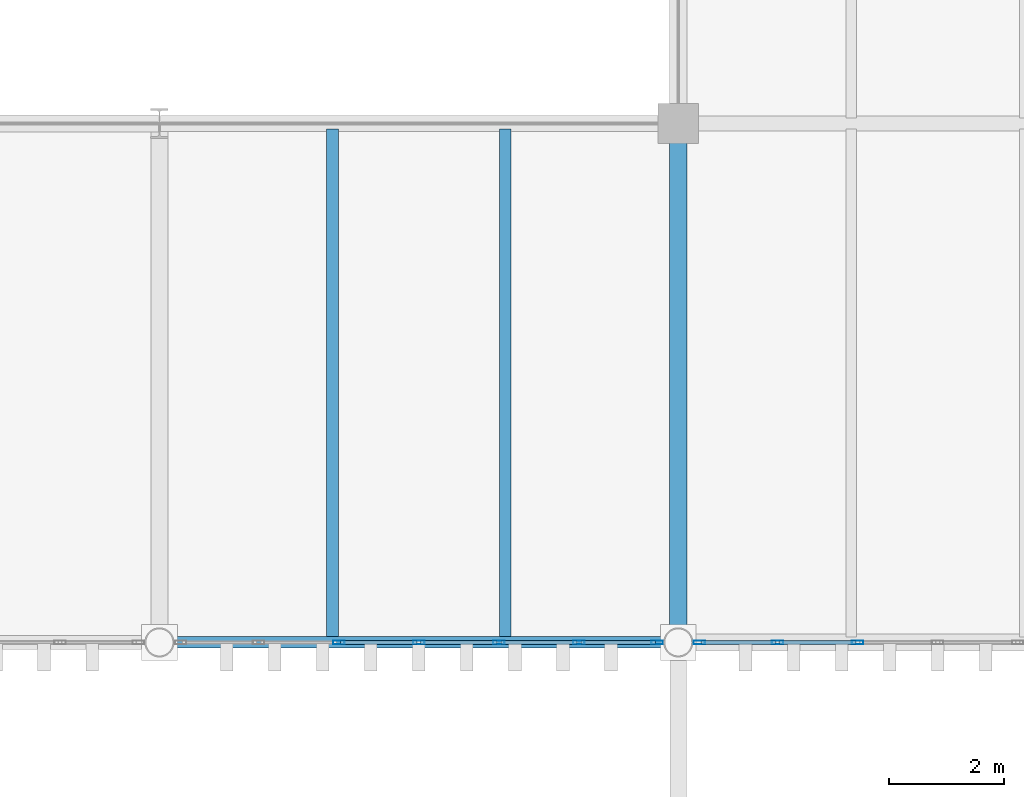
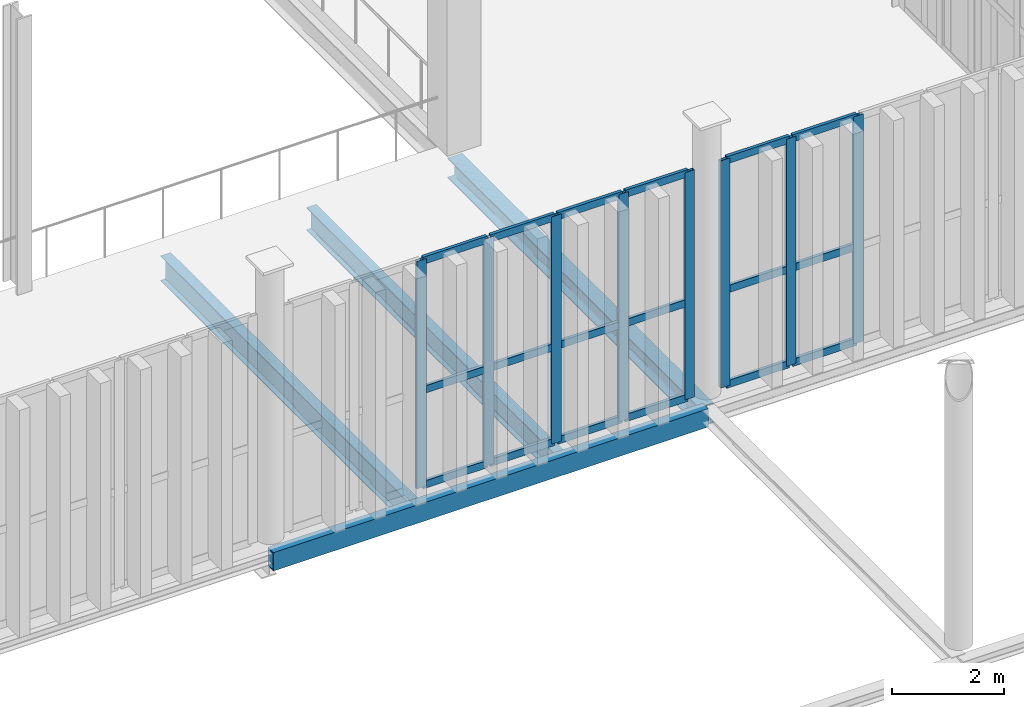
# One storey, part 40 of 211: 26 members, 4 beams, 2 elements without a shape of their own.
"""IFC4 building model written with IfcOpenShell, lengths in metres."""

from ifc_helpers import new_model, si_unit, direction, frame, origin, origin_2d, place, context, subcontext, project, spatial, hollow_rectangle, i_section, extrude, material, layer, layer_set, material_profile, profile_set, type_object, element, aggregate, save


model = new_model("IFC4")

# Units and contexts
model_context = context("Model", 3, precision=1e-05, world=origin(), true_north=direction((0.0, 1.0)))
body_context = subcontext(model_context, "Body", "Model", "MODEL_VIEW")
ifc_project = project(units=[si_unit("LENGTHUNIT", "METRE"), si_unit("AREAUNIT", "SQUARE_METRE"), si_unit("VOLUMEUNIT", "CUBIC_METRE"), si_unit("PLANEANGLEUNIT", "RADIAN"), si_unit("MASSUNIT", "GRAM", prefix="KILO")], contexts=[model_context])

# Site, building, storey
site_placement = place(None, origin())
site = spatial("IfcSite", under=ifc_project, at=site_placement, CompositionType="ELEMENT")
building_placement = place(site_placement, origin())
building = spatial("IfcBuilding", under=site, at=building_placement, Name="Barlavento Convention Centre", CompositionType="ELEMENT")
storey_placement = place(building_placement, frame((0.0, 0.0, 6.0)))
storey = spatial("IfcBuildingStorey", under=building, at=storey_placement, Name="L01", CompositionType="ELEMENT", Elevation=6.0)

# Curtain wall, members
ifc_material_1 = material(Name="Powder-coated aluminium and Low-E glass", Category="aluminium")
ifc_layer = layer(ifc_material_1, 0.18505859375)
ifc_layer_set = layer_set([ifc_layer], Name="ARC-CW-CONG-L01")
curtain_wall_type = type_object("IfcCurtainWallType", Name="ARC-CW-CONG-L01", PredefinedType="NOTDEFINED", material=ifc_layer_set)
curtain_wall_1_placement = place(storey_placement, origin())
curtain_wall_1 = element("IfcCurtainWall", 1, at=curtain_wall_1_placement, inside=storey, type_object=curtain_wall_type, Name="L01 unitised curtain wall CW01", PredefinedType="NOTDEFINED")
ifc_material_2 = material(Name="Powder-coated aluminium", Category="aluminium")
ifc_material_profile_1 = material_profile(ifc_material_2, hollow_rectangle(XDim=0.06494140625, YDim=0.199951171875, WallThickness=0.0048828125, at=origin_2d()), Name="AL-MULL 65x200x5")
ifc_profile_set_1 = profile_set([ifc_material_profile_1], Name="Powder-coated aluminium")
member_type_1 = type_object("IfcMemberType", Name="ARC-CWM-65X200", PredefinedType="MULLION", material=ifc_profile_set_1)
member_1_placement = place(storey_placement, frame((48.111328125, 9.0, 0.0), z_axis=(0.0, 0.0, 1.0), x_axis=(0.0, 1.0, 0.0)))
member_1 = element("IfcMember", 2, at=member_1_placement, type_object=member_type_1, Name="CW01 mullion 3", PredefinedType="MULLION", context=body_context, shape_type="SweptSolid", body=[
    extrude(hollow_rectangle(XDim=0.06494140625, YDim=0.199951171875, WallThickness=0.0048828125, at=origin_2d()), origin(), (0.0, 0.0, 1.0), 4.949951171875),
])
member_2_placement = place(storey_placement, frame((49.5, 9.0, 0.0), z_axis=(0.0, 0.0, 1.0), x_axis=(0.0, 1.0, 0.0)))
member_2 = element("IfcMember", 3, at=member_2_placement, type_object=member_type_1, Name="CW01 mullion 4", PredefinedType="MULLION", context=body_context, shape_type="SweptSolid", body=[
    extrude(hollow_rectangle(XDim=0.06494140625, YDim=0.199951171875, WallThickness=0.0048828125, at=origin_2d()), origin(), (0.0, 0.0, 1.0), 4.949951171875),
])
member_3_placement = place(storey_placement, frame((50.888671875, 9.0, 0.0), z_axis=(0.0, 0.0, 1.0), x_axis=(0.0, 1.0, 0.0)))
member_3 = element("IfcMember", 4, at=member_3_placement, type_object=member_type_1, Name="CW01 mullion 5", PredefinedType="MULLION", context=body_context, shape_type="SweptSolid", body=[
    extrude(hollow_rectangle(XDim=0.06494140625, YDim=0.199951171875, WallThickness=0.0048828125, at=origin_2d()), origin(), (0.0, 0.0, 1.0), 4.949951171875),
])
member_4_placement = place(storey_placement, frame((52.27734375, 9.0, 0.0), z_axis=(0.0, 0.0, 1.0), x_axis=(0.0, 1.0, 0.0)))
member_4 = element("IfcMember", 5, at=member_4_placement, type_object=member_type_1, Name="CW01 mullion 6", PredefinedType="MULLION", context=body_context, shape_type="SweptSolid", body=[
    extrude(hollow_rectangle(XDim=0.06494140625, YDim=0.199951171875, WallThickness=0.0048828125, at=origin_2d()), origin(), (0.0, 0.0, 1.0), 4.949951171875),
])
member_5_placement = place(storey_placement, frame((53.633544921875, 9.0, 0.0), z_axis=(0.0, 0.0, 1.0), x_axis=(0.0, 1.0, 0.0)))
member_5 = element("IfcMember", 6, at=member_5_placement, type_object=member_type_1, Name="CW01 mullion 7", PredefinedType="MULLION", context=body_context, shape_type="SweptSolid", body=[
    extrude(hollow_rectangle(XDim=0.06494140625, YDim=0.199951171875, WallThickness=0.0048828125, at=origin_2d()), origin(), (0.0, 0.0, 1.0), 4.949951171875),
])

curtain_wall_2_placement = place(storey_placement, origin())
curtain_wall_2 = element("IfcCurtainWall", 7, at=curtain_wall_2_placement, inside=storey, type_object=curtain_wall_type, Name="L01 unitised curtain wall CW01", PredefinedType="NOTDEFINED")
member_6_placement = place(storey_placement, frame((54.366455078125, 9.0, 0.0), z_axis=(0.0, 0.0, 1.0), x_axis=(0.0, 1.0, 0.0)))
member_6 = element("IfcMember", 8, at=member_6_placement, type_object=member_type_1, Name="CW01 mullion 1", PredefinedType="MULLION", context=body_context, shape_type="SweptSolid", body=[
    extrude(hollow_rectangle(XDim=0.06494140625, YDim=0.199951171875, WallThickness=0.0048828125, at=origin_2d()), origin(), (0.0, 0.0, 1.0), 4.949951171875),
])
member_7_placement = place(storey_placement, frame((55.72265625, 9.0, 0.0), z_axis=(0.0, 0.0, 1.0), x_axis=(0.0, 1.0, 0.0)))
member_7 = element("IfcMember", 9, at=member_7_placement, type_object=member_type_1, Name="CW01 mullion 2", PredefinedType="MULLION", context=body_context, shape_type="SweptSolid", body=[
    extrude(hollow_rectangle(XDim=0.06494140625, YDim=0.199951171875, WallThickness=0.0048828125, at=origin_2d()), origin(), (0.0, 0.0, 1.0), 4.949951171875),
])
member_8_placement = place(storey_placement, frame((57.111328125, 9.0, 0.0), z_axis=(0.0, 0.0, 1.0), x_axis=(0.0, 1.0, 0.0)))
member_8 = element("IfcMember", 10, at=member_8_placement, type_object=member_type_1, Name="CW01 mullion 3", PredefinedType="MULLION", context=body_context, shape_type="SweptSolid", body=[
    extrude(hollow_rectangle(XDim=0.06494140625, YDim=0.199951171875, WallThickness=0.0048828125, at=origin_2d()), origin(), (0.0, 0.0, 1.0), 4.949951171875),
])

# Member
ifc_material_profile_2 = material_profile(ifc_material_2, hollow_rectangle(XDim=0.06494140625, YDim=0.159912109375, WallThickness=0.0048828125, at=origin_2d()), Name="AL-TRAN 65x160x5")
ifc_profile_set_2 = profile_set([ifc_material_profile_2], Name="Powder-coated aluminium")
member_type_2 = type_object("IfcMemberType", Name="ARC-CWT-65X160", PredefinedType="USERDEFINED", material=ifc_profile_set_2)
member_9_placement = place(storey_placement, frame((48.143798828125, 9.0, 0.032470703125), z_axis=(1.0, 0.0, 0.0), x_axis=(0.0, 1.0, 0.0)))
member_9 = element("IfcMember", 11, at=member_9_placement, type_object=member_type_2, Name="CW01 transom 3.1", ObjectType="TRANSOM", PredefinedType="USERDEFINED", context=body_context, shape_type="SweptSolid", body=[
    extrude(hollow_rectangle(XDim=0.06494140625, YDim=0.159912109375, WallThickness=0.0048828125, at=origin_2d()), origin(), (0.0, 0.0, 1.0), 1.32373046875),
])

member_10_placement = place(storey_placement, frame((48.143798828125, 9.0, 2.10009765625), z_axis=(1.0, 0.0, 0.0), x_axis=(0.0, 1.0, 0.0)))
member_10 = element("IfcMember", 12, at=member_10_placement, type_object=member_type_2, Name="CW01 transom 3.2", ObjectType="TRANSOM", PredefinedType="USERDEFINED", context=body_context, shape_type="SweptSolid", body=[
    extrude(hollow_rectangle(XDim=0.06494140625, YDim=0.159912109375, WallThickness=0.0048828125, at=origin_2d()), origin(), (0.0, 0.0, 1.0), 1.32373046875),
])

member_11_placement = place(storey_placement, frame((48.143798828125, 9.0, 4.91748046875), z_axis=(1.0, 0.0, 0.0), x_axis=(0.0, 1.0, 0.0)))
member_11 = element("IfcMember", 13, at=member_11_placement, type_object=member_type_2, Name="CW01 transom 3.3", ObjectType="TRANSOM", PredefinedType="USERDEFINED", context=body_context, shape_type="SweptSolid", body=[
    extrude(hollow_rectangle(XDim=0.06494140625, YDim=0.159912109375, WallThickness=0.0048828125, at=origin_2d()), origin(), (0.0, 0.0, 1.0), 1.32373046875),
])

member_12_placement = place(storey_placement, frame((49.532470703125, 9.0, 0.032470703125), z_axis=(1.0, 0.0, 0.0), x_axis=(0.0, 1.0, 0.0)))
member_12 = element("IfcMember", 14, at=member_12_placement, type_object=member_type_2, Name="CW01 transom 4.1", ObjectType="TRANSOM", PredefinedType="USERDEFINED", context=body_context, shape_type="SweptSolid", body=[
    extrude(hollow_rectangle(XDim=0.06494140625, YDim=0.159912109375, WallThickness=0.0048828125, at=origin_2d()), origin(), (0.0, 0.0, 1.0), 1.32373046875),
])

member_13_placement = place(storey_placement, frame((49.532470703125, 9.0, 2.10009765625), z_axis=(1.0, 0.0, 0.0), x_axis=(0.0, 1.0, 0.0)))
member_13 = element("IfcMember", 15, at=member_13_placement, type_object=member_type_2, Name="CW01 transom 4.2", ObjectType="TRANSOM", PredefinedType="USERDEFINED", context=body_context, shape_type="SweptSolid", body=[
    extrude(hollow_rectangle(XDim=0.06494140625, YDim=0.159912109375, WallThickness=0.0048828125, at=origin_2d()), origin(), (0.0, 0.0, 1.0), 1.32373046875),
])

member_14_placement = place(storey_placement, frame((49.532470703125, 9.0, 4.91748046875), z_axis=(1.0, 0.0, 0.0), x_axis=(0.0, 1.0, 0.0)))
member_14 = element("IfcMember", 16, at=member_14_placement, type_object=member_type_2, Name="CW01 transom 4.3", ObjectType="TRANSOM", PredefinedType="USERDEFINED", context=body_context, shape_type="SweptSolid", body=[
    extrude(hollow_rectangle(XDim=0.06494140625, YDim=0.159912109375, WallThickness=0.0048828125, at=origin_2d()), origin(), (0.0, 0.0, 1.0), 1.32373046875),
])

member_15_placement = place(storey_placement, frame((50.921142578125, 9.0, 0.032470703125), z_axis=(1.0, 0.0, 0.0), x_axis=(0.0, 1.0, 0.0)))
member_15 = element("IfcMember", 17, at=member_15_placement, type_object=member_type_2, Name="CW01 transom 5.1", ObjectType="TRANSOM", PredefinedType="USERDEFINED", context=body_context, shape_type="SweptSolid", body=[
    extrude(hollow_rectangle(XDim=0.06494140625, YDim=0.159912109375, WallThickness=0.0048828125, at=origin_2d()), origin(), (0.0, 0.0, 1.0), 1.32373046875),
])

member_16_placement = place(storey_placement, frame((50.921142578125, 9.0, 2.10009765625), z_axis=(1.0, 0.0, 0.0), x_axis=(0.0, 1.0, 0.0)))
member_16 = element("IfcMember", 18, at=member_16_placement, type_object=member_type_2, Name="CW01 transom 5.2", ObjectType="TRANSOM", PredefinedType="USERDEFINED", context=body_context, shape_type="SweptSolid", body=[
    extrude(hollow_rectangle(XDim=0.06494140625, YDim=0.159912109375, WallThickness=0.0048828125, at=origin_2d()), origin(), (0.0, 0.0, 1.0), 1.32373046875),
])

member_17_placement = place(storey_placement, frame((50.921142578125, 9.0, 4.91748046875), z_axis=(1.0, 0.0, 0.0), x_axis=(0.0, 1.0, 0.0)))
member_17 = element("IfcMember", 19, at=member_17_placement, type_object=member_type_2, Name="CW01 transom 5.3", ObjectType="TRANSOM", PredefinedType="USERDEFINED", context=body_context, shape_type="SweptSolid", body=[
    extrude(hollow_rectangle(XDim=0.06494140625, YDim=0.159912109375, WallThickness=0.0048828125, at=origin_2d()), origin(), (0.0, 0.0, 1.0), 1.32373046875),
])

member_18_placement = place(storey_placement, frame((52.309814453125, 9.0, 0.032470703125), z_axis=(1.0, 0.0, 0.0), x_axis=(0.0, 1.0, 0.0)))
member_18 = element("IfcMember", 20, at=member_18_placement, type_object=member_type_2, Name="CW01 transom 6.1", ObjectType="TRANSOM", PredefinedType="USERDEFINED", context=body_context, shape_type="SweptSolid", body=[
    extrude(hollow_rectangle(XDim=0.06494140625, YDim=0.159912109375, WallThickness=0.0048828125, at=origin_2d()), origin(), (0.0, 0.0, 1.0), 1.291259765625),
])

member_19_placement = place(storey_placement, frame((52.309814453125, 9.0, 2.10009765625), z_axis=(1.0, 0.0, 0.0), x_axis=(0.0, 1.0, 0.0)))
member_19 = element("IfcMember", 21, at=member_19_placement, type_object=member_type_2, Name="CW01 transom 6.2", ObjectType="TRANSOM", PredefinedType="USERDEFINED", context=body_context, shape_type="SweptSolid", body=[
    extrude(hollow_rectangle(XDim=0.06494140625, YDim=0.159912109375, WallThickness=0.0048828125, at=origin_2d()), origin(), (0.0, 0.0, 1.0), 1.291259765625),
])

member_20_placement = place(storey_placement, frame((52.309814453125, 9.0, 4.91748046875), z_axis=(1.0, 0.0, 0.0), x_axis=(0.0, 1.0, 0.0)))
member_20 = element("IfcMember", 22, at=member_20_placement, type_object=member_type_2, Name="CW01 transom 6.3", ObjectType="TRANSOM", PredefinedType="USERDEFINED", context=body_context, shape_type="SweptSolid", body=[
    extrude(hollow_rectangle(XDim=0.06494140625, YDim=0.159912109375, WallThickness=0.0048828125, at=origin_2d()), origin(), (0.0, 0.0, 1.0), 1.291259765625),
])

aggregate(curtain_wall_1, [member_1, member_2, member_3, member_4, member_5, member_9, member_10, member_11, member_12, member_13, member_14, member_15, member_16, member_17, member_18, member_19, member_20])

member_21_placement = place(storey_placement, frame((54.39892578125, 9.0, 0.032470703125), z_axis=(1.0, 0.0, 0.0), x_axis=(0.0, 1.0, 0.0)))
member_21 = element("IfcMember", 23, at=member_21_placement, type_object=member_type_2, Name="CW01 transom 1.1", ObjectType="TRANSOM", PredefinedType="USERDEFINED", context=body_context, shape_type="SweptSolid", body=[
    extrude(hollow_rectangle(XDim=0.06494140625, YDim=0.159912109375, WallThickness=0.0048828125, at=origin_2d()), origin(), (0.0, 0.0, 1.0), 1.291259765625),
])

member_22_placement = place(storey_placement, frame((54.39892578125, 9.0, 2.10009765625), z_axis=(1.0, 0.0, 0.0), x_axis=(0.0, 1.0, 0.0)))
member_22 = element("IfcMember", 24, at=member_22_placement, type_object=member_type_2, Name="CW01 transom 1.2", ObjectType="TRANSOM", PredefinedType="USERDEFINED", context=body_context, shape_type="SweptSolid", body=[
    extrude(hollow_rectangle(XDim=0.06494140625, YDim=0.159912109375, WallThickness=0.0048828125, at=origin_2d()), origin(), (0.0, 0.0, 1.0), 1.291259765625),
])

member_23_placement = place(storey_placement, frame((54.39892578125, 9.0, 4.91748046875), z_axis=(1.0, 0.0, 0.0), x_axis=(0.0, 1.0, 0.0)))
member_23 = element("IfcMember", 25, at=member_23_placement, type_object=member_type_2, Name="CW01 transom 1.3", ObjectType="TRANSOM", PredefinedType="USERDEFINED", context=body_context, shape_type="SweptSolid", body=[
    extrude(hollow_rectangle(XDim=0.06494140625, YDim=0.159912109375, WallThickness=0.0048828125, at=origin_2d()), origin(), (0.0, 0.0, 1.0), 1.291259765625),
])

member_24_placement = place(storey_placement, frame((55.755126953125, 9.0, 0.032470703125), z_axis=(1.0, 0.0, 0.0), x_axis=(0.0, 1.0, 0.0)))
member_24 = element("IfcMember", 26, at=member_24_placement, type_object=member_type_2, Name="CW01 transom 2.1", ObjectType="TRANSOM", PredefinedType="USERDEFINED", context=body_context, shape_type="SweptSolid", body=[
    extrude(hollow_rectangle(XDim=0.06494140625, YDim=0.159912109375, WallThickness=0.0048828125, at=origin_2d()), origin(), (0.0, 0.0, 1.0), 1.32373046875),
])

member_25_placement = place(storey_placement, frame((55.755126953125, 9.0, 2.10009765625), z_axis=(1.0, 0.0, 0.0), x_axis=(0.0, 1.0, 0.0)))
member_25 = element("IfcMember", 27, at=member_25_placement, type_object=member_type_2, Name="CW01 transom 2.2", ObjectType="TRANSOM", PredefinedType="USERDEFINED", context=body_context, shape_type="SweptSolid", body=[
    extrude(hollow_rectangle(XDim=0.06494140625, YDim=0.159912109375, WallThickness=0.0048828125, at=origin_2d()), origin(), (0.0, 0.0, 1.0), 1.32373046875),
])

member_26_placement = place(storey_placement, frame((55.755126953125, 9.0, 4.91748046875), z_axis=(1.0, 0.0, 0.0), x_axis=(0.0, 1.0, 0.0)))
member_26 = element("IfcMember", 28, at=member_26_placement, type_object=member_type_2, Name="CW01 transom 2.3", ObjectType="TRANSOM", PredefinedType="USERDEFINED", context=body_context, shape_type="SweptSolid", body=[
    extrude(hollow_rectangle(XDim=0.06494140625, YDim=0.159912109375, WallThickness=0.0048828125, at=origin_2d()), origin(), (0.0, 0.0, 1.0), 1.32373046875),
])

aggregate(curtain_wall_2, [member_6, member_7, member_8, member_21, member_22, member_23, member_24, member_25, member_26])

# Beams
ifc_material_3 = material(Name="Steel S355", Category="steel")
ifc_material_profile_3 = material_profile(ifc_material_3, i_section(OverallWidth=0.199951171875, OverallDepth=0.5, WebThickness=0.01025390625, FlangeThickness=0.01611328125, FilletRadius=0.02099609375, at=origin_2d()), Name="IPE 500")
ifc_profile_set_3 = profile_set([ifc_material_profile_3], Name="Steel S355")
beam_type_1 = type_object("IfcBeamType", Name="STR-BM-JST-IPE500", PredefinedType="JOIST", material=ifc_profile_set_3)
beam_1_placement = place(storey_placement, frame((51.0, 9.094970703125, -0.550048828125), z_axis=(0.0, 1.0, 0.0), x_axis=(-1.0, 0.0, 0.0)))
element("IfcBeam", 29, at=beam_1_placement, inside=storey, type_object=beam_type_1, Name="L01 composite floor joist SJ02", PredefinedType="JOIST", context=body_context, shape_type="SweptSolid", body=[
    extrude(i_section(OverallWidth=0.199951171875, OverallDepth=0.5, WebThickness=0.01025390625, FlangeThickness=0.01611328125, FilletRadius=0.02099609375, at=origin_2d()), origin(), (0.0, 0.0, 1.0), 8.81005859375),
])
ifc_material_profile_4 = material_profile(ifc_material_3, i_section(OverallWidth=0.2099609375, OverallDepth=0.550048828125, WebThickness=0.010986328125, FlangeThickness=0.01708984375, FilletRadius=0.02392578125, at=origin_2d()), Name="IPE 550")
ifc_profile_set_4 = profile_set([ifc_material_profile_4], Name="Steel S355")
beam_type_2 = type_object("IfcBeamType", Name="STR-BM-JST-IPE550", PredefinedType="JOIST", material=ifc_profile_set_4)
beam_2_placement = place(storey_placement, frame((48.0, 9.094970703125, -0.574951171875), z_axis=(0.0, 1.0, 0.0), x_axis=(-1.0, 0.0, 0.0)))
element("IfcBeam", 30, at=beam_2_placement, inside=storey, type_object=beam_type_2, Name="L01 composite floor joist SJ01", PredefinedType="JOIST", context=body_context, shape_type="SweptSolid", body=[
    extrude(i_section(OverallWidth=0.2099609375, OverallDepth=0.550048828125, WebThickness=0.010986328125, FlangeThickness=0.01708984375, FilletRadius=0.02392578125, at=origin_2d()), origin(), (0.0, 0.0, 1.0), 8.81005859375),
])
ifc_material_profile_5 = material_profile(ifc_material_3, i_section(OverallWidth=0.300048828125, OverallDepth=0.43994140625, WebThickness=0.011474609375, FlangeThickness=0.02099609375, FilletRadius=0.027099609375, at=origin_2d()), Name="HEA 450")
ifc_profile_set_5 = profile_set([ifc_material_profile_5], Name="Steel S355")
beam_type_3 = type_object("IfcBeamType", Name="STR-BM-PRI-HEA450", PredefinedType="BEAM", material=ifc_profile_set_5)
beam_3_placement = place(storey_placement, frame((54.0, 9.02001953125, -0.52001953125), z_axis=(0.0, 1.0, 0.0), x_axis=(-1.0, 0.0, 0.0)))
element("IfcBeam", 31, at=beam_3_placement, inside=storey, type_object=beam_type_3, Name="L01 grid girder BG21", PredefinedType="BEAM", context=body_context, shape_type="SweptSolid", body=[
    extrude(i_section(OverallWidth=0.300048828125, OverallDepth=0.43994140625, WebThickness=0.011474609375, FlangeThickness=0.02099609375, FilletRadius=0.027099609375, at=origin_2d()), origin(), (0.0, 0.0, 1.0), 8.9599609375),
])
ifc_material_profile_6 = material_profile(ifc_material_3, hollow_rectangle(XDim=0.199951171875, YDim=0.39990234375, WallThickness=0.01611328125, at=origin_2d()), Name="RHS 400x200x16.0")
ifc_profile_set_6 = profile_set([ifc_material_profile_6], Name="Steel S355")
beam_type_4 = type_object("IfcBeamType", Name="STR-BM-SPN-RHS400", PredefinedType="SPANDREL", material=ifc_profile_set_6)
beam_4_placement = place(storey_placement, frame((45.02001953125, 9.0, -0.5), z_axis=(1.0, 0.0, 0.0), x_axis=(0.0, 1.0, 0.0)))
element("IfcBeam", 32, at=beam_4_placement, inside=storey, type_object=beam_type_4, Name="L01 primary girder SP06", PredefinedType="SPANDREL", context=body_context, shape_type="SweptSolid", body=[
    extrude(hollow_rectangle(XDim=0.199951171875, YDim=0.39990234375, WallThickness=0.01611328125, at=origin_2d()), origin(), (0.0, 0.0, 1.0), 8.9599609375),
])

save(model, "model.ifc")
